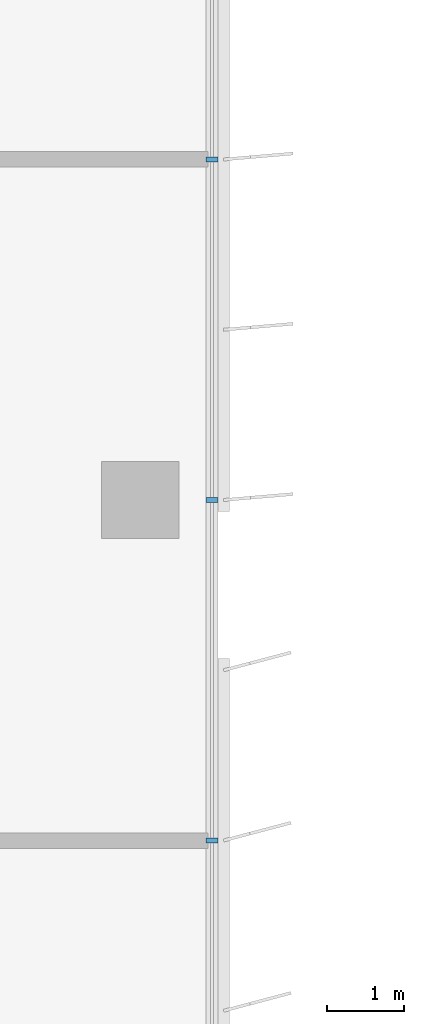
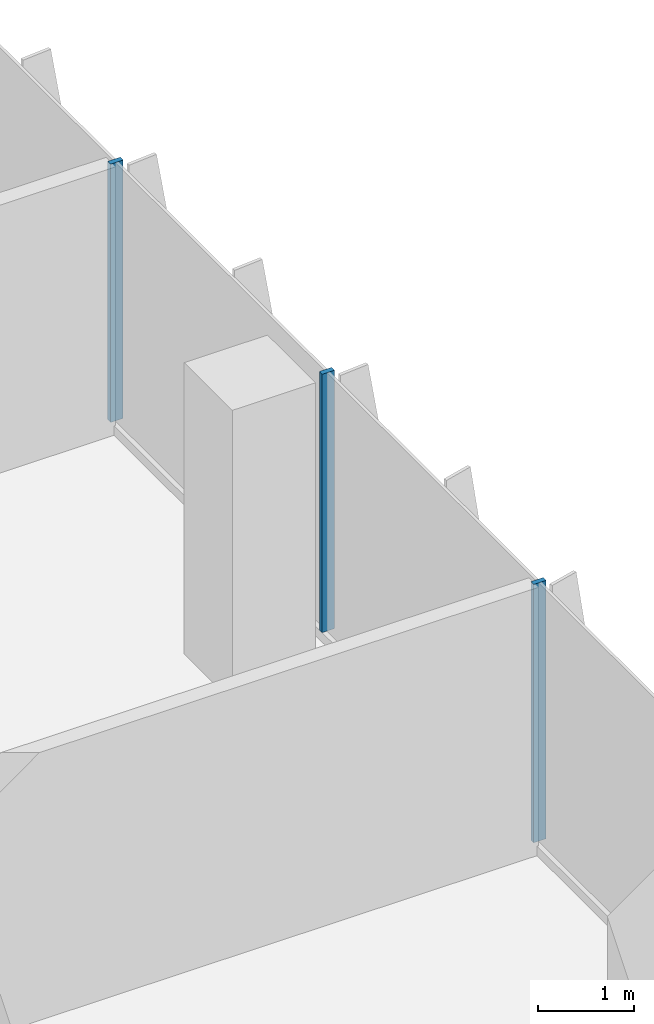
# One storey, part 5 of 21: 3 members, 1 element without a shape of its own.
"""IFC4 building model written with IfcOpenShell, lengths in metres."""

from ifc_helpers import new_model, si_unit, direction, frame, origin, origin_2d, place, context, subcontext, project, spatial, rectangle, extrude, source, transform, mapped, material, material_profile, profile_set, type_object, element, aggregate, save


model = new_model("IFC4")

# Units and contexts
model_context = context("Model", 3, precision=1e-05, world=origin(), true_north=direction((0.0, 1.0)))
body_context = subcontext(model_context, "Body", "Model", "MODEL_VIEW")
ifc_project = project(units=[si_unit("LENGTHUNIT", "METRE"), si_unit("AREAUNIT", "SQUARE_METRE"), si_unit("VOLUMEUNIT", "CUBIC_METRE"), si_unit("PLANEANGLEUNIT", "RADIAN"), si_unit("MASSUNIT", "GRAM", prefix="KILO")], contexts=[model_context])

# Site, building, storey
site_placement = place(None, origin())
site = spatial("IfcSite", under=ifc_project, at=site_placement, CompositionType="ELEMENT")
building_placement = place(site_placement, origin())
building = spatial("IfcBuilding", under=site, at=building_placement, Name="Kemantara Hotel Tower", CompositionType="ELEMENT")
storey_placement = place(building_placement, frame((0.0, 0.0, 211.699951171875)))
storey = spatial("IfcBuildingStorey", under=building, at=storey_placement, Name="L52", CompositionType="ELEMENT", Elevation=211.699951171875)

# Curtain wall, members
ifc_material_1 = material(Name="Low-E tinted double insulated glass 36 mm", Category="glass")
curtain_wall_type = type_object("IfcCurtainWallType", Name="TOWER CURTAIN WALL, FRONT FACES", PredefinedType="USERDEFINED", material=ifc_material_1)
curtain_wall_placement = place(storey_placement, origin())
curtain_wall = element("IfcCurtainWall", 1, at=curtain_wall_placement, inside=storey, type_object=curtain_wall_type, Name="CW4 L52 T3-R17-1", ObjectType="TOWER CURTAIN WALL, FRONT FACES", PredefinedType="USERDEFINED")
ifc_material_2 = material(Name="Aluminium 6063-T6 bronze anodised", Category="aluminium")
ifc_material_profile = material_profile(ifc_material_2, rectangle(XDim=0.14990234375, YDim=0.06005859375, at=origin_2d()), Name="TOWER CURTAIN WALL, FRONT FACES MULLION")
ifc_profile_set = profile_set([ifc_material_profile], Name="Aluminium 6063-T6 bronze anodised")
member_type = type_object("IfcMemberType", Name="TOWER CURTAIN WALL, FRONT FACES MULLION", PredefinedType="MULLION", material=ifc_profile_set)
shared_shape = source(origin(), body_context, "Body", "SweptSolid", [
    extrude(rectangle(XDim=0.14990234375, YDim=0.06005859375, at=origin_2d()), origin(), (0.0, 0.0, 1.0), 3.280029296875),
])
member_1_placement = place(storey_placement, frame((21.925048828125, 31.800048828125, 0.1201171875), z_axis=(0.0, 0.0, 1.0), x_axis=(-1.0, 0.0, 0.0)))
member_1 = element("IfcMember", 2, at=member_1_placement, type_object=member_type, Name="CW4 mullion T3-R17-1.3", PredefinedType="MULLION", context=body_context, shape_type="MappedRepresentation", body=[
    mapped(shared_shape, transform((0.0, 0.0, 0.0))),
])
member_2_placement = place(storey_placement, frame((21.925048828125, 36.199951171875, 0.1201171875), z_axis=(0.0, 0.0, 1.0), x_axis=(-1.0, 0.0, 0.0)))
member_2 = element("IfcMember", 3, at=member_2_placement, type_object=member_type, Name="CW4 mullion T3-R17-1.4", PredefinedType="MULLION", context=body_context, shape_type="MappedRepresentation", body=[
    mapped(shared_shape, transform((0.0, 0.0, 0.0))),
])
member_3_placement = place(storey_placement, frame((21.925048828125, 40.60009765625, 0.1201171875), z_axis=(0.0, 0.0, 1.0), x_axis=(-1.0, 0.0, 0.0)))
member_3 = element("IfcMember", 4, at=member_3_placement, type_object=member_type, Name="CW4 mullion T3-R17-1.5", PredefinedType="MULLION", context=body_context, shape_type="MappedRepresentation", body=[
    mapped(shared_shape, transform((0.0, 0.0, 0.0))),
])
aggregate(curtain_wall, [member_1, member_2, member_3])

save(model, "model.ifc")
